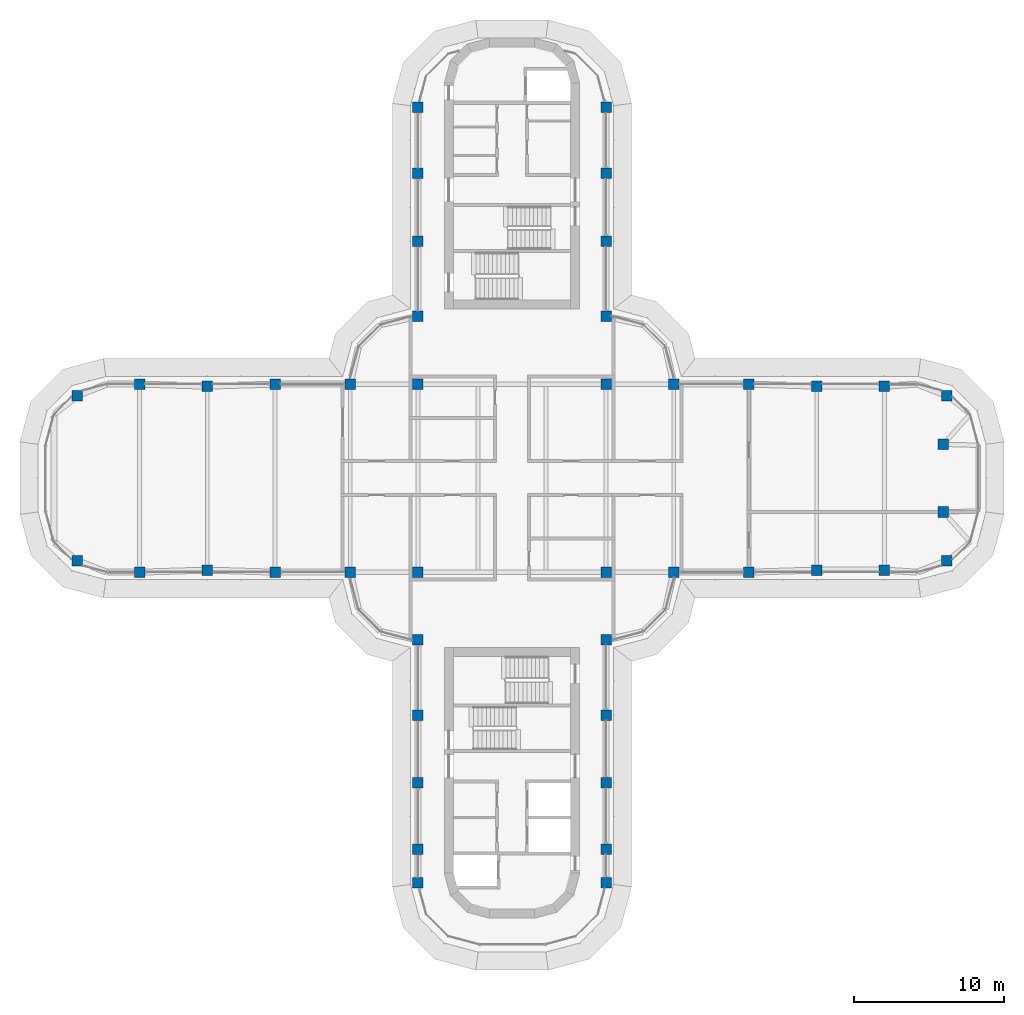
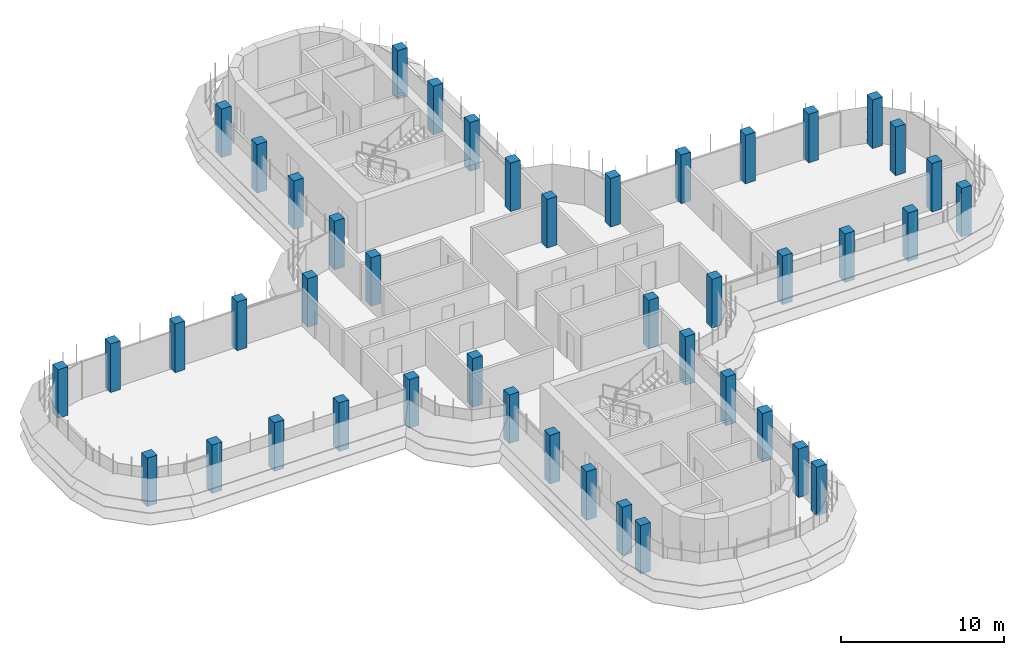
# One storey, part 1 of 19: 44 columns.
"""IFC4 building model written with IfcOpenShell, lengths in metres."""

from ifc_helpers import new_model, si_unit, direction, frame, origin, origin_2d, place, context, subcontext, project, spatial, rectangle, extrude, material, material_profile, profile_set, type_object, element, save


model = new_model("IFC4")

# Units and contexts
model_context = context("Model", 3, precision=1e-05, world=origin(), true_north=direction((0.0, 1.0)))
body_context = subcontext(model_context, "Body", "Model", "MODEL_VIEW")
ifc_project = project(units=[si_unit("LENGTHUNIT", "METRE"), si_unit("AREAUNIT", "SQUARE_METRE"), si_unit("VOLUMEUNIT", "CUBIC_METRE"), si_unit("PLANEANGLEUNIT", "RADIAN"), si_unit("MASSUNIT", "GRAM", prefix="KILO")], contexts=[model_context])

# Site, building, storey
site_placement = place(None, origin())
site = spatial("IfcSite", under=ifc_project, at=site_placement, CompositionType="ELEMENT")
building_placement = place(site_placement, origin())
building = spatial("IfcBuilding", under=site, at=building_placement, Name="Zarbagh Exchange Tower", CompositionType="ELEMENT")
storey_placement = place(building_placement, frame((0.0, 0.0, 225.800048828125)))
storey = spatial("IfcBuildingStorey", under=building, at=storey_placement, Name="L55", CompositionType="ELEMENT", Elevation=225.800048828125)

# Columns
ifc_material = material(Name="Concrete C50/60", Category="concrete")
ifc_material_profile = material_profile(ifc_material, rectangle(XDim=0.699951171875, YDim=0.699951171875, at=origin_2d()), Name="RC column 700 x 700 C50/60")
ifc_profile_set = profile_set([ifc_material_profile], Name="Concrete C50/60")
column_type = type_object("IfcColumnType", Name="RC column 700 x 700 C50/60", PredefinedType="COLUMN", material=ifc_profile_set)
for number, where, z_axis, x_axis, name in (
    (1, (-28.907958984375, -5.47509765625, 0.0), (0.0, 0.0, 1.0), (1.0, 0.0, 0.0), "C5 11/R"),
    (2, (-28.907958984375, 5.47509765625, 0.0), (0.0, 0.0, 1.0), (1.0, 0.0, 0.0), "C5 11/U"),
    (3, (-24.75, -6.25, 0.0), (0.0, 0.0, 1.0), (1.0, 0.0, 0.0), "C5 12/R"),
    (4, (-24.75, 6.25, 0.0), (0.0, 0.0, 1.0), (1.0, 0.0, 0.0), "C5 12/U"),
    (5, (-20.25, -6.110107421875, 0.0), (0.0, 0.0, 1.0), (1.0, 0.0, 0.0), "C5 13/R"),
    (6, (-20.25, 6.110107421875, 0.0), (0.0, 0.0, 1.0), (1.0, 0.0, 0.0), "C5 13/U"),
    (7, (-15.75, -6.25, 0.0), (0.0, 0.0, 1.0), (1.0, 0.0, 0.0), "C5 14/R"),
    (8, (-15.75, 6.25, 0.0), (0.0, 0.0, 1.0), (1.0, 0.0, 0.0), "C5 14/U"),
    (9, (-10.75, -6.25, 0.0), (0.0, 0.0, 1.0), (1.0, 0.0, 0.0), "C5 15/R"),
    (10, (-10.75, 6.25, 0.0), (0.0, 0.0, 1.0), (1.0, 0.0, 0.0), "C5 15/U"),
    (11, (-6.25, -26.89990234375, 0.0), (0.0, 0.0, 1.0), (1.0, 0.0, 0.0), "C5 16/L"),
    (12, (-6.25, -24.64990234375, 0.0), (0.0, 0.0, 1.0), (1.0, 0.0, 0.0), "C5 16/M"),
    (13, (-6.25, -20.25, 0.0), (0.0, 0.0, 1.0), (1.0, 0.0, 0.0), "C5 16/N"),
    (14, (-6.25, -15.75, 0.0), (0.0, 0.0, 1.0), (1.0, 0.0, 0.0), "C5 16/P"),
    (15, (-6.25, -10.75, 0.0), (0.0, 0.0, 1.0), (1.0, 0.0, 0.0), "C5 16/Q"),
    (16, (-6.25, -6.25, 0.0), (0.0, 0.0, 1.0), (1.0, 0.0, 0.0), "C5 16/R"),
    (17, (-6.25, 6.25, 0.0), (0.0, 0.0, 1.0), (1.0, 0.0, 0.0), "C5 16/U"),
    (18, (-6.25, 10.75, 0.0), (0.0, 0.0, 1.0), (1.0, 0.0, 0.0), "C5 16/V"),
    (19, (-6.25, 15.75, 0.0), (0.0, 0.0, 1.0), (1.0, 0.0, 0.0), "C5 16/W"),
    (20, (-6.25, 20.25, 0.0), (0.0, 0.0, 1.0), (1.0, 0.0, 0.0), "C5 16/X"),
    (21, (-6.25, 24.64990234375, 0.0), (0.0, 0.0, 1.0), (1.0, 0.0, 0.0), "C5 16/Y"),
    (22, (6.25, -26.89990234375, 0.0), (0.0, 0.0, 1.0), (1.0, 0.0, 0.0), "C5 19/L"),
    (23, (6.25, -24.64990234375, 0.0), (0.0, 0.0, 1.0), (1.0, 0.0, 0.0), "C5 19/M"),
    (24, (6.25, -20.25, 0.0), (0.0, 0.0, 1.0), (1.0, 0.0, 0.0), "C5 19/N"),
    (25, (6.25, -15.75, 0.0), (0.0, 0.0, 1.0), (1.0, 0.0, 0.0), "C5 19/P"),
    (26, (6.25, -10.75, 0.0), (0.0, 0.0, 1.0), (1.0, 0.0, 0.0), "C5 19/Q"),
    (27, (6.25, -6.25, 0.0), (0.0, 0.0, 1.0), (1.0, 0.0, 0.0), "C5 19/R"),
    (28, (6.25, 6.25, 0.0), (0.0, 0.0, 1.0), (1.0, 0.0, 0.0), "C5 19/U"),
    (29, (6.25, 10.75, 0.0), (0.0, 0.0, 1.0), (1.0, 0.0, 0.0), "C5 19/V"),
    (30, (6.25, 15.75, 0.0), (0.0, 0.0, 1.0), (1.0, 0.0, 0.0), "C5 19/W"),
    (31, (6.25, 20.25, 0.0), (0.0, 0.0, 1.0), (1.0, 0.0, 0.0), "C5 19/X"),
    (32, (6.25, 24.64990234375, 0.0), (0.0, 0.0, 1.0), (1.0, 0.0, 0.0), "C5 19/Y"),
    (33, (10.75, -6.25, 0.0), (0.0, 0.0, 1.0), (1.0, 0.0, 0.0), "C5 20/R"),
    (34, (10.75, 6.25, 0.0), (0.0, 0.0, 1.0), (1.0, 0.0, 0.0), "C5 20/U"),
    (35, (15.75, -6.25, 0.0), (0.0, 0.0, 1.0), (1.0, 0.0, 0.0), "C5 21/R"),
    (36, (15.75, 6.25, 0.0), (0.0, 0.0, 1.0), (1.0, 0.0, 0.0), "C5 21/U"),
    (37, (20.25, -6.110107421875, 0.0), (0.0, 0.0, 1.0), (1.0, 0.0, 0.0), "C5 22/R"),
    (38, (20.25, 6.110107421875, 0.0), (0.0, 0.0, 1.0), (1.0, 0.0, 0.0), "C5 22/U"),
    (39, (24.75, -6.110107421875, 0.0), (0.0, 0.0, 1.0), (1.0, 0.0, 0.0), "C5 23/R"),
    (40, (24.75, 6.110107421875, 0.0), (0.0, 0.0, 1.0), (1.0, 0.0, 0.0), "C5 23/U"),
    (41, (28.907958984375, -5.47509765625, 0.0), (0.0, 0.0, 1.0), (1.0, 0.0, 0.0), "C5 24/R"),
    (42, (28.669921875, -2.25, 0.0), (0.0, 0.0, 1.0), (1.0, 0.0, 0.0), "C5 24/S"),
    (43, (28.669921875, 2.25, 0.0), (0.0, 0.0, 1.0), (1.0, 0.0, 0.0), "C5 24/T"),
    (44, (28.907958984375, 5.47509765625, 0.0), (0.0, 0.0, 1.0), (1.0, 0.0, 0.0), "C5 24/U"),
):
    element("IfcColumn", number, at=place(storey_placement, frame(where, z_axis=z_axis, x_axis=x_axis)), inside=storey, type_object=column_type, Name=name, PredefinedType="COLUMN", context=body_context, shape_type="SweptSolid", body=[
        extrude(rectangle(XDim=0.699951171875, YDim=0.699951171875, at=origin_2d()), origin(), (0.0, 0.0, 1.0), 3.64990234375),
    ])

save(model, "model.ifc")
